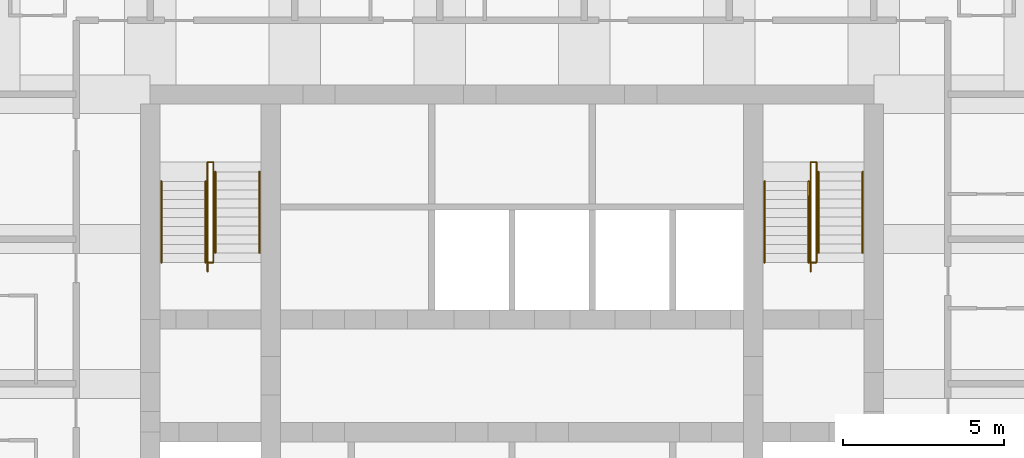
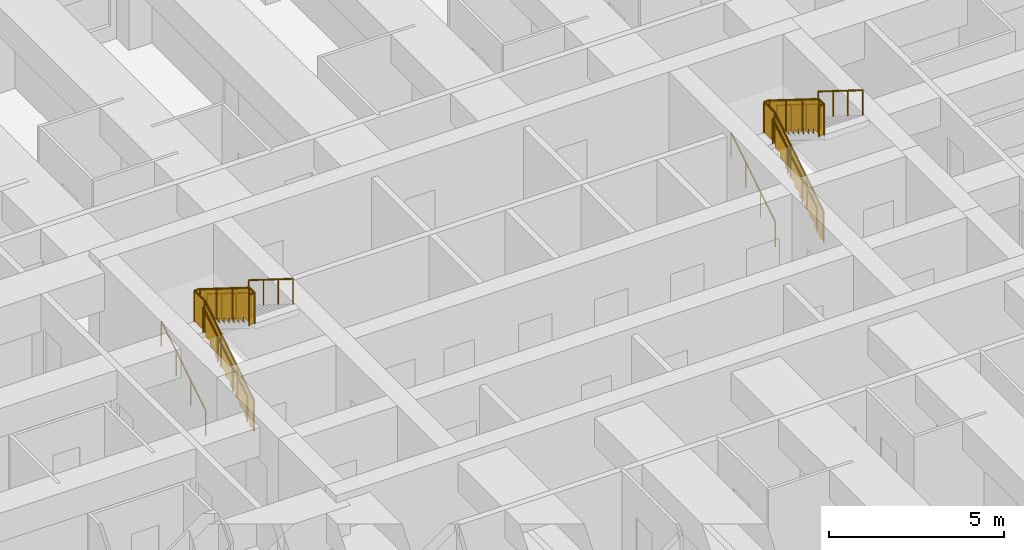
# One storey, part 8 of 8: 12 railings.
"""IFC4 building model written with IfcOpenShell, lengths in metres."""

from ifc_helpers import new_model, si_unit, direction, frame, origin, origin_2d, place, context, subcontext, project, spatial, polyline, circle, outline, extrude, material, type_object, element, save


model = new_model("IFC4")

# Units and contexts
model_context = context("Model", 3, precision=1e-05, world=origin(), true_north=direction((0.0, 1.0)))
body_context = subcontext(model_context, "Body", "Model", "MODEL_VIEW")
ifc_project = project(units=[si_unit("LENGTHUNIT", "METRE"), si_unit("AREAUNIT", "SQUARE_METRE"), si_unit("VOLUMEUNIT", "CUBIC_METRE"), si_unit("PLANEANGLEUNIT", "RADIAN"), si_unit("MASSUNIT", "GRAM", prefix="KILO")], contexts=[model_context])

# Site, building, storey
site_placement = place(None, origin())
site = spatial("IfcSite", under=ifc_project, at=site_placement, CompositionType="ELEMENT")
building_placement = place(site_placement, origin())
building = spatial("IfcBuilding", under=site, at=building_placement, Name="Kilele Tower Hotel", CompositionType="ELEMENT")
storey_placement = place(building_placement, frame((0.0, 0.0, 169.39990234375)))
storey = spatial("IfcBuildingStorey", under=building, at=storey_placement, Name="L43", CompositionType="ELEMENT", Elevation=169.39990234375)

# Railings
ifc_material_1 = material(Name="Steel handrail", Category="steel")
railing_type_1 = type_object("IfcRailingType", Name="Handrail 900", PredefinedType="HANDRAIL", material=ifc_material_1)
for number, where, name in (
    (1, (13.85009765625, 21.77490234375, 0.175048828125), "Handrail ST1 flight 1"),
    (2, (15.22509765625, 21.77490234375, 0.175048828125), "Handrail ST1 flight 1"),
):
    element("IfcRailing", number, at=place(storey_placement, frame(where)), inside=storey, type_object=railing_type_1, Name=name, PredefinedType="HANDRAIL", context=body_context, shape_type="SweptSolid", body=[
        extrude(circle(Radius=0.02490234375, at=origin_2d()), frame((0.0, 0.0, 0.875), z_axis=(0.0, 0.848007534815, 0.529984170421), x_axis=(-1.0, 0.0, 0.0)), (0.0, 0.0, 1.0), 2.9716796875),
        extrude(circle(Radius=0.02001953125, at=origin_2d()), origin(), (0.0, 0.0, 1.0), 0.849853515625),
        extrude(circle(Radius=0.02001953125, at=origin_2d()), frame((0.0, 0.840087890625, 0.52490234375)), (0.0, 0.0, 1.0), 0.849853515625),
        extrude(circle(Radius=0.02001953125, at=origin_2d()), frame((0.0, 1.679931640625, 1.050048828125)), (0.0, 0.0, 1.0), 0.849853515625),
        extrude(circle(Radius=0.02001953125, at=origin_2d()), frame((0.0, 2.52001953125, 1.574951171875)), (0.0, 0.0, 1.0), 0.849853515625),
    ])
for number, where, name in (
    (3, (15.52490234375, 24.594970703125, 1.925048828125), "Handrail ST1 flight 2"),
    (4, (16.89990234375, 24.594970703125, 1.925048828125), "Handrail ST1 flight 2"),
):
    element("IfcRailing", number, at=place(storey_placement, frame(where)), inside=storey, type_object=railing_type_1, Name=name, PredefinedType="HANDRAIL", context=body_context, shape_type="SweptSolid", body=[
        extrude(circle(Radius=0.02490234375, at=origin_2d()), frame((0.0, 0.0, 0.875), z_axis=(0.0, -0.848007534815, 0.529984170421), x_axis=(1.0, 0.0, 0.0)), (0.0, 0.0, 1.0), 2.9716796875),
        extrude(circle(Radius=0.02001953125, at=origin_2d()), origin(), (0.0, 0.0, 1.0), 0.849853515625),
        extrude(circle(Radius=0.02001953125, at=origin_2d()), frame((0.0, -0.840087890625, 0.52490234375)), (0.0, 0.0, 1.0), 0.849853515625),
        extrude(circle(Radius=0.02001953125, at=origin_2d()), frame((0.0, -1.679931640625, 1.050048828125)), (0.0, 0.0, 1.0), 0.849853515625),
        extrude(circle(Radius=0.02001953125, at=origin_2d()), frame((0.0, -2.52001953125, 1.574951171875)), (0.0, 0.0, 1.0), 0.849853515625),
    ])
for number, where, name in (
    (5, (32.60009765625, 21.77490234375, 0.175048828125), "Handrail ST2 flight 1"),
    (6, (33.97509765625, 21.77490234375, 0.175048828125), "Handrail ST2 flight 1"),
):
    element("IfcRailing", number, at=place(storey_placement, frame(where)), inside=storey, type_object=railing_type_1, Name=name, PredefinedType="HANDRAIL", context=body_context, shape_type="SweptSolid", body=[
        extrude(circle(Radius=0.02490234375, at=origin_2d()), frame((0.0, 0.0, 0.875), z_axis=(0.0, 0.848007534815, 0.529984170421), x_axis=(-1.0, 0.0, 0.0)), (0.0, 0.0, 1.0), 2.9716796875),
        extrude(circle(Radius=0.02001953125, at=origin_2d()), origin(), (0.0, 0.0, 1.0), 0.849853515625),
        extrude(circle(Radius=0.02001953125, at=origin_2d()), frame((0.0, 0.840087890625, 0.52490234375)), (0.0, 0.0, 1.0), 0.849853515625),
        extrude(circle(Radius=0.02001953125, at=origin_2d()), frame((0.0, 1.679931640625, 1.050048828125)), (0.0, 0.0, 1.0), 0.849853515625),
        extrude(circle(Radius=0.02001953125, at=origin_2d()), frame((0.0, 2.52001953125, 1.574951171875)), (0.0, 0.0, 1.0), 0.849853515625),
    ])
for number, where, name in (
    (7, (34.27490234375, 24.594970703125, 1.925048828125), "Handrail ST2 flight 2"),
    (8, (35.64990234375, 24.594970703125, 1.925048828125), "Handrail ST2 flight 2"),
):
    element("IfcRailing", number, at=place(storey_placement, frame(where)), inside=storey, type_object=railing_type_1, Name=name, PredefinedType="HANDRAIL", context=body_context, shape_type="SweptSolid", body=[
        extrude(circle(Radius=0.02490234375, at=origin_2d()), frame((0.0, 0.0, 0.875), z_axis=(0.0, -0.848007534815, 0.529984170421), x_axis=(1.0, 0.0, 0.0)), (0.0, 0.0, 1.0), 2.9716796875),
        extrude(circle(Radius=0.02001953125, at=origin_2d()), origin(), (0.0, 0.0, 1.0), 0.849853515625),
        extrude(circle(Radius=0.02001953125, at=origin_2d()), frame((0.0, -0.840087890625, 0.52490234375)), (0.0, 0.0, 1.0), 0.849853515625),
        extrude(circle(Radius=0.02001953125, at=origin_2d()), frame((0.0, -1.679931640625, 1.050048828125)), (0.0, 0.0, 1.0), 0.849853515625),
        extrude(circle(Radius=0.02001953125, at=origin_2d()), frame((0.0, -2.52001953125, 1.574951171875)), (0.0, 0.0, 1.0), 0.849853515625),
    ])
ifc_material_2 = material(Name="Steel guard", Category="steel")
railing_type_2 = type_object("IfcRailingType", Name="Stair guard 1100", PredefinedType="GUARDRAIL", material=ifc_material_2)
railing_1_placement = place(storey_placement, frame((15.284912109375, 21.4951171875, 0.0)))
element("IfcRailing", 9, at=railing_1_placement, inside=storey, type_object=railing_type_2, Name="Stair well guard ST1 flight 1", PredefinedType="GUARDRAIL", context=body_context, shape_type="SweptSolid", body=[
    extrude(circle(Radius=0.02490234375, at=origin_2d()), frame((0.0, 0.0, 1.0751953125), z_axis=(0.0, 0.847981687118, 0.530025526095), x_axis=(-1.0, 0.0, 0.0)), (0.0, 0.0, 1.0), 3.3017578125),
    extrude(circle(Radius=0.02490234375, at=origin_2d()), frame((0.0, 2.7998046875, 2.8251953125), z_axis=(0.0, 1.0, 0.0), x_axis=(-1.0, 0.0, 0.0)), (0.0, 0.0, 1.0), 0.60009765625),
    extrude(circle(Radius=0.02490234375, at=origin_2d()), frame((0.0, 3.39990234375, 2.8251953125), z_axis=(1.0, 0.0, 0.0), x_axis=(0.0, 1.0, 0.0)), (0.0, 0.0, 1.0), 0.18017578125),
    extrude(circle(Radius=0.02490234375, at=origin_2d()), origin(), (0.0, 0.0, 1.0), 1.050048828125),
    extrude(circle(Radius=0.02490234375, at=origin_2d()), frame((0.0, 0.933349609375, 0.583251953125)), (0.0, 0.0, 1.0), 1.050048828125),
    extrude(circle(Radius=0.02490234375, at=origin_2d()), frame((0.0, 1.866455078125, 1.166748046875)), (0.0, 0.0, 1.0), 1.050048828125),
    extrude(circle(Radius=0.02490234375, at=origin_2d()), frame((0.0, 2.7998046875, 1.75)), (0.0, 0.0, 1.0), 1.050048828125),
    extrude(circle(Radius=0.02490234375, at=origin_2d()), frame((0.0, 3.39990234375, 1.75)), (0.0, 0.0, 1.0), 1.050048828125),
    extrude(circle(Radius=0.02490234375, at=origin_2d()), frame((0.18017578125, 3.39990234375, 1.75)), (0.0, 0.0, 1.0), 1.050048828125),
    extrude(outline(polyline([(0.012451171875, 0.030029296875), (0.25, 0.030029296875), (0.25, 0.205078125), (0.530029296875, 0.205078125), (0.530029296875, 0.380126953125), (0.809814453125, 0.380126953125), (0.809814453125, 0.554931640625), (1.08984375, 0.554931640625), (1.08984375, 0.72998046875), (1.369873046875, 0.72998046875), (1.369873046875, 0.905029296875), (1.64990234375, 0.905029296875), (1.64990234375, 1.080078125), (1.929931640625, 1.080078125), (1.929931640625, 1.255126953125), (2.209716796875, 1.255126953125), (2.209716796875, 1.429931640625), (2.48974609375, 1.429931640625), (2.48974609375, 1.60498046875), (2.769775390625, 1.60498046875), (2.769775390625, 1.780029296875), (2.787353515625, 1.780029296875), (2.787353515625, 2.787841796875), (0.012451171875, 1.053466796875), (0.012451171875, 0.030029296875)])), frame((-0.005859375, 0.0, 0.0), z_axis=(1.0, 0.0, 0.0), x_axis=(0.0, 1.0, 0.0)), (0.0, 0.0, 1.0), 0.011962890625),
    extrude(outline(polyline([(0.012451171875, 0.030029296875), (0.587646484375, 0.030029296875), (0.587646484375, 1.050048828125), (0.012451171875, 1.050048828125), (0.012451171875, 0.030029296875)])), frame((-0.005859375, 2.7998046875, 1.75), z_axis=(1.0, 0.0, 0.0), x_axis=(0.0, 1.0, 0.0)), (0.0, 0.0, 1.0), 0.011962890625),
    extrude(outline(polyline([(0.012451171875, 0.030029296875), (0.18017578125, 0.030029296875), (0.18017578125, 1.050048828125), (0.012451171875, 1.050048828125), (0.012451171875, 0.030029296875)])), frame((0.0, 3.40576171875, 1.75), z_axis=(0.0, -1.0, 0.0), x_axis=(1.0, 0.0, 0.0)), (0.0, 0.0, 1.0), 0.011962890625),
])
railing_2_placement = place(storey_placement, frame((15.465087890625, 24.89501953125, 1.75)))
element("IfcRailing", 10, at=railing_2_placement, inside=storey, type_object=railing_type_2, Name="Stair well guard ST1 flight 2", PredefinedType="GUARDRAIL", context=body_context, shape_type="SweptSolid", body=[
    extrude(circle(Radius=0.02490234375, at=origin_2d()), frame((0.0, 0.0, 1.0751953125), z_axis=(0.0, -1.0, 0.0), x_axis=(1.0, 0.0, 0.0)), (0.0, 0.0, 1.0), 0.02001953125),
    extrude(circle(Radius=0.02490234375, at=origin_2d()), frame((0.0, -0.02001953125, 1.0751953125), z_axis=(0.0, -0.848002457836, 0.529992293815), x_axis=(1.0, 0.0, 0.0)), (0.0, 0.0, 1.0), 3.302001953125),
    extrude(circle(Radius=0.02490234375, at=origin_2d()), frame((0.0, -2.820068359375, 2.8251953125), z_axis=(0.0, -1.0, 0.0), x_axis=(1.0, 0.0, 0.0)), (0.0, 0.0, 1.0), 0.300048828125),
    extrude(circle(Radius=0.02490234375, at=origin_2d()), frame((0.0, -3.1201171875, 2.8251953125), z_axis=(-1.0, 0.0, 0.0), x_axis=(0.0, -1.0, 0.0)), (0.0, 0.0, 1.0), 0.18017578125),
    extrude(circle(Radius=0.02490234375, at=origin_2d()), origin(), (0.0, 0.0, 1.0), 1.050048828125),
    extrude(circle(Radius=0.02490234375, at=origin_2d()), frame((0.0, -0.02001953125, 0.0)), (0.0, 0.0, 1.0), 1.050048828125),
    extrude(circle(Radius=0.02490234375, at=origin_2d()), frame((0.0, -0.953369140625, 0.583251953125)), (0.0, 0.0, 1.0), 1.050048828125),
    extrude(circle(Radius=0.02490234375, at=origin_2d()), frame((0.0, -1.88671875, 1.166748046875)), (0.0, 0.0, 1.0), 1.050048828125),
    extrude(circle(Radius=0.02490234375, at=origin_2d()), frame((0.0, -2.820068359375, 1.75)), (0.0, 0.0, 1.0), 1.050048828125),
    extrude(circle(Radius=0.02490234375, at=origin_2d()), frame((0.0, -3.1201171875, 1.75)), (0.0, 0.0, 1.0), 1.050048828125),
    extrude(circle(Radius=0.02490234375, at=origin_2d()), frame((-0.18017578125, -3.1201171875, 1.75)), (0.0, 0.0, 1.0), 1.050048828125),
    extrude(outline(polyline([(0.012451171875, 0.030029296875), (0.25, 0.030029296875), (0.25, 0.205078125), (0.530029296875, 0.205078125), (0.530029296875, 0.380126953125), (0.81005859375, 0.380126953125), (0.81005859375, 0.554931640625), (1.090087890625, 0.554931640625), (1.090087890625, 0.72998046875), (1.3701171875, 0.72998046875), (1.3701171875, 0.905029296875), (1.64990234375, 0.905029296875), (1.64990234375, 1.080078125), (1.929931640625, 1.080078125), (1.929931640625, 1.255126953125), (2.2099609375, 1.255126953125), (2.2099609375, 1.429931640625), (2.489990234375, 1.429931640625), (2.489990234375, 1.60498046875), (2.77001953125, 1.60498046875), (2.77001953125, 1.780029296875), (2.78759765625, 1.780029296875), (2.78759765625, 2.787841796875), (0.012451171875, 1.053466796875), (0.012451171875, 0.030029296875)])), frame((0.005859375, -0.02001953125, 0.0), z_axis=(-1.0, 0.0, 0.0), x_axis=(0.0, -1.0, 0.0)), (0.0, 0.0, 1.0), 0.011962890625),
    extrude(outline(polyline([(0.012451171875, 0.030029296875), (0.28759765625, 0.030029296875), (0.28759765625, 1.050048828125), (0.012451171875, 1.050048828125), (0.012451171875, 0.030029296875)])), frame((0.005859375, -2.820068359375, 1.75), z_axis=(-1.0, 0.0, 0.0), x_axis=(0.0, -1.0, 0.0)), (0.0, 0.0, 1.0), 0.011962890625),
    extrude(outline(polyline([(0.012451171875, 0.030029296875), (0.18017578125, 0.030029296875), (0.18017578125, 1.050048828125), (0.012451171875, 1.050048828125), (0.012451171875, 0.030029296875)])), frame((0.0, -3.1259765625, 1.75), z_axis=(0.0, 1.0, 0.0), x_axis=(-1.0, 0.0, 0.0)), (0.0, 0.0, 1.0), 0.011962890625),
])
railing_3_placement = place(storey_placement, frame((34.034912109375, 21.4951171875, 0.0)))
element("IfcRailing", 11, at=railing_3_placement, inside=storey, type_object=railing_type_2, Name="Stair well guard ST2 flight 1", PredefinedType="GUARDRAIL", context=body_context, shape_type="SweptSolid", body=[
    extrude(circle(Radius=0.02490234375, at=origin_2d()), frame((0.0, 0.0, 1.0751953125), z_axis=(0.0, 0.847981687118, 0.530025526095), x_axis=(-1.0, 0.0, 0.0)), (0.0, 0.0, 1.0), 3.3017578125),
    extrude(circle(Radius=0.02490234375, at=origin_2d()), frame((0.0, 2.7998046875, 2.8251953125), z_axis=(0.0, 1.0, 0.0), x_axis=(-1.0, 0.0, 0.0)), (0.0, 0.0, 1.0), 0.60009765625),
    extrude(circle(Radius=0.02490234375, at=origin_2d()), frame((0.0, 3.39990234375, 2.8251953125), z_axis=(1.0, 0.0, 0.0), x_axis=(0.0, 1.0, 0.0)), (0.0, 0.0, 1.0), 0.18017578125),
    extrude(circle(Radius=0.02490234375, at=origin_2d()), origin(), (0.0, 0.0, 1.0), 1.050048828125),
    extrude(circle(Radius=0.02490234375, at=origin_2d()), frame((0.0, 0.933349609375, 0.583251953125)), (0.0, 0.0, 1.0), 1.050048828125),
    extrude(circle(Radius=0.02490234375, at=origin_2d()), frame((0.0, 1.866455078125, 1.166748046875)), (0.0, 0.0, 1.0), 1.050048828125),
    extrude(circle(Radius=0.02490234375, at=origin_2d()), frame((0.0, 2.7998046875, 1.75)), (0.0, 0.0, 1.0), 1.050048828125),
    extrude(circle(Radius=0.02490234375, at=origin_2d()), frame((0.0, 3.39990234375, 1.75)), (0.0, 0.0, 1.0), 1.050048828125),
    extrude(circle(Radius=0.02490234375, at=origin_2d()), frame((0.18017578125, 3.39990234375, 1.75)), (0.0, 0.0, 1.0), 1.050048828125),
    extrude(outline(polyline([(0.012451171875, 0.030029296875), (0.25, 0.030029296875), (0.25, 0.205078125), (0.530029296875, 0.205078125), (0.530029296875, 0.380126953125), (0.809814453125, 0.380126953125), (0.809814453125, 0.554931640625), (1.08984375, 0.554931640625), (1.08984375, 0.72998046875), (1.369873046875, 0.72998046875), (1.369873046875, 0.905029296875), (1.64990234375, 0.905029296875), (1.64990234375, 1.080078125), (1.929931640625, 1.080078125), (1.929931640625, 1.255126953125), (2.209716796875, 1.255126953125), (2.209716796875, 1.429931640625), (2.48974609375, 1.429931640625), (2.48974609375, 1.60498046875), (2.769775390625, 1.60498046875), (2.769775390625, 1.780029296875), (2.787353515625, 1.780029296875), (2.787353515625, 2.787841796875), (0.012451171875, 1.053466796875), (0.012451171875, 0.030029296875)])), frame((-0.005859375, 0.0, 0.0), z_axis=(1.0, 0.0, 0.0), x_axis=(0.0, 1.0, 0.0)), (0.0, 0.0, 1.0), 0.011962890625),
    extrude(outline(polyline([(0.012451171875, 0.030029296875), (0.587646484375, 0.030029296875), (0.587646484375, 1.050048828125), (0.012451171875, 1.050048828125), (0.012451171875, 0.030029296875)])), frame((-0.005859375, 2.7998046875, 1.75), z_axis=(1.0, 0.0, 0.0), x_axis=(0.0, 1.0, 0.0)), (0.0, 0.0, 1.0), 0.011962890625),
    extrude(outline(polyline([(0.012451171875, 0.030029296875), (0.18017578125, 0.030029296875), (0.18017578125, 1.050048828125), (0.012451171875, 1.050048828125), (0.012451171875, 0.030029296875)])), frame((0.0, 3.40576171875, 1.75), z_axis=(0.0, -1.0, 0.0), x_axis=(1.0, 0.0, 0.0)), (0.0, 0.0, 1.0), 0.011962890625),
])
railing_4_placement = place(storey_placement, frame((34.215087890625, 24.89501953125, 1.75)))
element("IfcRailing", 12, at=railing_4_placement, inside=storey, type_object=railing_type_2, Name="Stair well guard ST2 flight 2", PredefinedType="GUARDRAIL", context=body_context, shape_type="SweptSolid", body=[
    extrude(circle(Radius=0.02490234375, at=origin_2d()), frame((0.0, 0.0, 1.0751953125), z_axis=(0.0, -1.0, 0.0), x_axis=(1.0, 0.0, 0.0)), (0.0, 0.0, 1.0), 0.02001953125),
    extrude(circle(Radius=0.02490234375, at=origin_2d()), frame((0.0, -0.02001953125, 1.0751953125), z_axis=(0.0, -0.848002457836, 0.529992293815), x_axis=(1.0, 0.0, 0.0)), (0.0, 0.0, 1.0), 3.302001953125),
    extrude(circle(Radius=0.02490234375, at=origin_2d()), frame((0.0, -2.820068359375, 2.8251953125), z_axis=(0.0, -1.0, 0.0), x_axis=(1.0, 0.0, 0.0)), (0.0, 0.0, 1.0), 0.300048828125),
    extrude(circle(Radius=0.02490234375, at=origin_2d()), frame((0.0, -3.1201171875, 2.8251953125), z_axis=(-1.0, 0.0, 0.0), x_axis=(0.0, -1.0, 0.0)), (0.0, 0.0, 1.0), 0.18017578125),
    extrude(circle(Radius=0.02490234375, at=origin_2d()), origin(), (0.0, 0.0, 1.0), 1.050048828125),
    extrude(circle(Radius=0.02490234375, at=origin_2d()), frame((0.0, -0.02001953125, 0.0)), (0.0, 0.0, 1.0), 1.050048828125),
    extrude(circle(Radius=0.02490234375, at=origin_2d()), frame((0.0, -0.953369140625, 0.583251953125)), (0.0, 0.0, 1.0), 1.050048828125),
    extrude(circle(Radius=0.02490234375, at=origin_2d()), frame((0.0, -1.88671875, 1.166748046875)), (0.0, 0.0, 1.0), 1.050048828125),
    extrude(circle(Radius=0.02490234375, at=origin_2d()), frame((0.0, -2.820068359375, 1.75)), (0.0, 0.0, 1.0), 1.050048828125),
    extrude(circle(Radius=0.02490234375, at=origin_2d()), frame((0.0, -3.1201171875, 1.75)), (0.0, 0.0, 1.0), 1.050048828125),
    extrude(circle(Radius=0.02490234375, at=origin_2d()), frame((-0.18017578125, -3.1201171875, 1.75)), (0.0, 0.0, 1.0), 1.050048828125),
    extrude(outline(polyline([(0.012451171875, 0.030029296875), (0.25, 0.030029296875), (0.25, 0.205078125), (0.530029296875, 0.205078125), (0.530029296875, 0.380126953125), (0.81005859375, 0.380126953125), (0.81005859375, 0.554931640625), (1.090087890625, 0.554931640625), (1.090087890625, 0.72998046875), (1.3701171875, 0.72998046875), (1.3701171875, 0.905029296875), (1.64990234375, 0.905029296875), (1.64990234375, 1.080078125), (1.929931640625, 1.080078125), (1.929931640625, 1.255126953125), (2.2099609375, 1.255126953125), (2.2099609375, 1.429931640625), (2.489990234375, 1.429931640625), (2.489990234375, 1.60498046875), (2.77001953125, 1.60498046875), (2.77001953125, 1.780029296875), (2.78759765625, 1.780029296875), (2.78759765625, 2.787841796875), (0.012451171875, 1.053466796875), (0.012451171875, 0.030029296875)])), frame((0.005859375, -0.02001953125, 0.0), z_axis=(-1.0, 0.0, 0.0), x_axis=(0.0, -1.0, 0.0)), (0.0, 0.0, 1.0), 0.011962890625),
    extrude(outline(polyline([(0.012451171875, 0.030029296875), (0.28759765625, 0.030029296875), (0.28759765625, 1.050048828125), (0.012451171875, 1.050048828125), (0.012451171875, 0.030029296875)])), frame((0.005859375, -2.820068359375, 1.75), z_axis=(-1.0, 0.0, 0.0), x_axis=(0.0, -1.0, 0.0)), (0.0, 0.0, 1.0), 0.011962890625),
    extrude(outline(polyline([(0.012451171875, 0.030029296875), (0.18017578125, 0.030029296875), (0.18017578125, 1.050048828125), (0.012451171875, 1.050048828125), (0.012451171875, 0.030029296875)])), frame((0.0, -3.1259765625, 1.75), z_axis=(0.0, 1.0, 0.0), x_axis=(-1.0, 0.0, 0.0)), (0.0, 0.0, 1.0), 0.011962890625),
])

save(model, "model.ifc")
